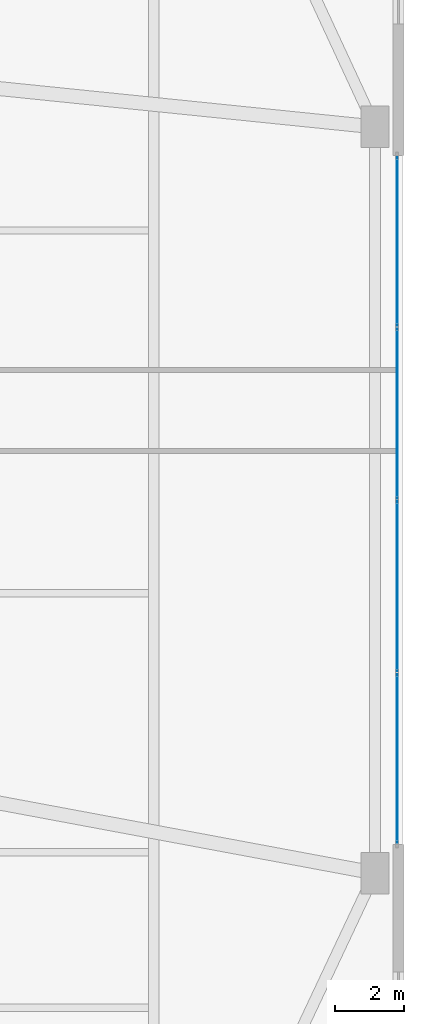
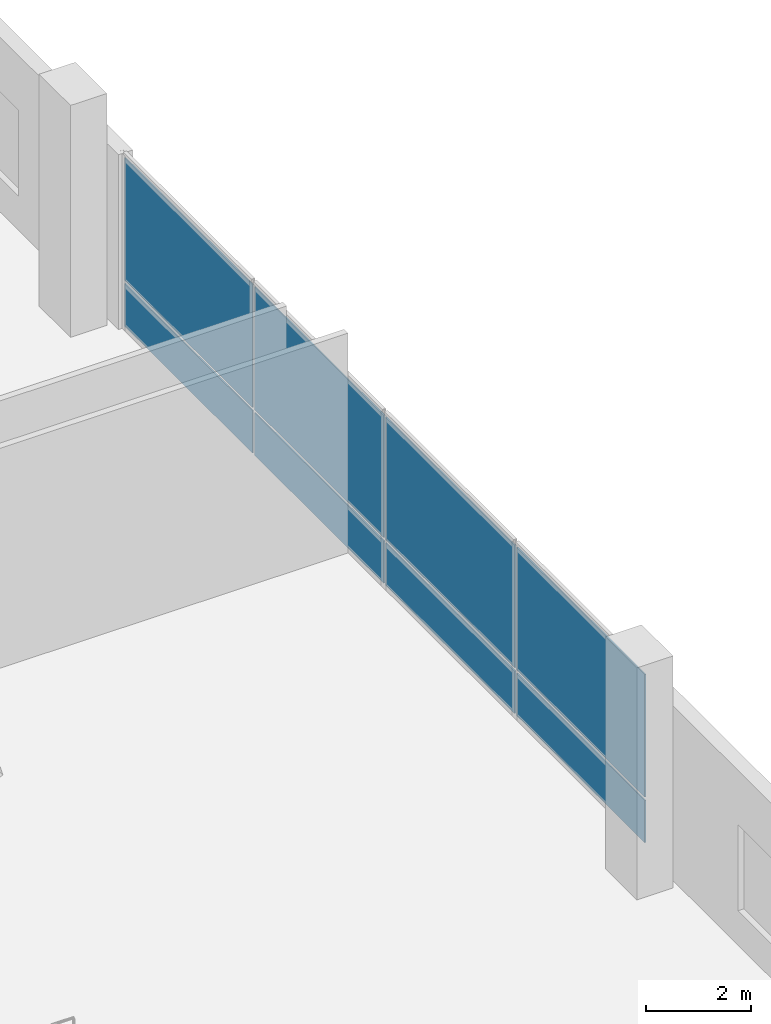
# One storey, part 28 of 40: 8 plates, 1 element without a shape of its own.
"""IFC4 building model written with IfcOpenShell, lengths in metres."""

import ifcopenshell
import ifcopenshell.guid

model = None  # the IFC model being written
_history = None  # IfcOwnerHistory: only IFC2X3 demands one
_inside = {}  # id of a spatial element -> (the spatial element, [elements in it])
_under = {}  # id of a project, library or spatial element -> (it, [spatial elements below it])
_declared = {}  # id of a project -> (the project, [libraries it declares])
_typed = {}  # id of a type object -> (the type object, [elements of that type])
_made_of = {}  # id of a material, layer set ... -> (it, [elements and type objects made of it])


def new_model(schema):
    """Start an empty IFC model of exactly this schema.

    Asked for "IFC4X3", IfcOpenShell would pick the latest addendum, in which some entities
    have other attributes; the version numbers below select the first issue.
    IFC2X3 requires an IfcOwnerHistory on every rooted entity: one is made here for all.
    """
    global model, _history
    if schema == "IFC4X3":
        model = ifcopenshell.file(schema_version=(4, 3, 0, 0))
    else:
        model = ifcopenshell.file(schema=schema)
    _inside.clear()
    _under.clear()
    _declared.clear()
    _typed.clear()
    _made_of.clear()
    _history = None
    if model.schema == "IFC2X3":
        org = make("IfcOrganization", Name="unknown")
        user = make(
            "IfcPersonAndOrganization",
            ThePerson=make("IfcPerson", FamilyName="unknown"),
            TheOrganization=org,
        )
        app = make(
            "IfcApplication",
            ApplicationDeveloper=org,
            Version="unknown",
            ApplicationFullName="unknown",
            ApplicationIdentifier="unknown",
        )
        _history = make(
            "IfcOwnerHistory",
            OwningUser=user,
            OwningApplication=app,
            ChangeAction="ADDED",
            CreationDate=0,
        )
    return model


def make(cls, **values):
    """One entity of the class cls with the attributes given. An attribute that is None is left unset."""
    return model.create_entity(
        cls, **{name: value for name, value in values.items() if value is not None}
    )


def rooted(cls, **values):
    """An entity with a GlobalId (a new one), such as an element, a storey or a relation."""
    return make(cls, GlobalId=ifcopenshell.guid.new(), OwnerHistory=_history, **values)


def si_unit(unit_type, name, prefix=None):
    """IfcSIUnit, for example si_unit("LENGTHUNIT", "METRE", prefix="MILLI")."""
    return make("IfcSIUnit", UnitType=unit_type, Prefix=prefix, Name=name)


def assignment(units):
    """IfcUnitAssignment: the units of a project."""
    return None if units is None else make("IfcUnitAssignment", Units=units)


def point(xyz):
    """IfcCartesianPoint."""
    return None if xyz is None else make("IfcCartesianPoint", Coordinates=xyz)


def direction(xyz):
    """IfcDirection."""
    return None if xyz is None else make("IfcDirection", DirectionRatios=xyz)


def frame(location, z_axis=None, x_axis=None):
    """IfcAxis2Placement3D, a coordinate frame: its origin and axes. An axis left out is left unset."""
    return make(
        "IfcAxis2Placement3D",
        Location=point(location),
        Axis=direction(z_axis),
        RefDirection=direction(x_axis),
    )


def frame_2d(location, x_axis=None):
    """IfcAxis2Placement2D, a coordinate frame in the plane: its origin and x axis."""
    return make(
        "IfcAxis2Placement2D", Location=point(location), RefDirection=direction(x_axis)
    )


def origin():
    """The frame at (0, 0, 0) with its axes left unset."""
    return frame((0.0, 0.0, 0.0))


def origin_2d():
    """The frame at (0, 0) in the plane with its x axis left unset."""
    return frame_2d((0.0, 0.0))


def place(relative_to, where):
    """IfcLocalPlacement: puts the frame where relative to a parent placement (None: the world)."""
    return make(
        "IfcLocalPlacement", PlacementRelTo=relative_to, RelativePlacement=where
    )


def context(
    kind, dimensions, precision=None, world=None, true_north=None, identifier=None
):
    """IfcGeometricRepresentationContext, for example the 3D "Model" context."""
    return make(
        "IfcGeometricRepresentationContext",
        ContextIdentifier=identifier,
        ContextType=kind,
        CoordinateSpaceDimension=dimensions,
        Precision=precision,
        WorldCoordinateSystem=world,
        TrueNorth=true_north,
    )


def subcontext(parent, identifier, kind, view, scale=None):
    """IfcGeometricRepresentationSubContext, for example "Body" below "Model"."""
    return make(
        "IfcGeometricRepresentationSubContext",
        ContextIdentifier=identifier,
        ContextType=kind,
        ParentContext=parent,
        TargetScale=scale,
        TargetView=view,
    )


def project(units=None, contexts=None):
    """IfcProject with its units and contexts."""
    return rooted(
        "IfcProject",
        Name="project",
        RepresentationContexts=contexts,
        UnitsInContext=assignment(units),
    )


def spatial(cls, under=None, at=None, **own):
    """A site, building, storey or space (cls), placed at a placement, below another one or the project."""
    s = rooted(cls, ObjectPlacement=at, **own)
    if under is not None:
        _under.setdefault(under.id(), (under, []))[1].append(s)
    return s


def profile(cls, at=None, kind="AREA", **sizes):
    """A parametric profile (cls). Its sizes go by their IFC names, for example OverallWidth=200.0."""
    return make(cls, ProfileType=kind, Position=at, **sizes)


def rectangle(**sizes):
    """IfcRectangleProfileDef."""
    return profile("IfcRectangleProfileDef", **sizes)


def extrude(swept, where, along, depth):
    """IfcExtrudedAreaSolid: the profile swept, set in the frame where, extruded along a direction by depth."""
    return make(
        "IfcExtrudedAreaSolid",
        SweptArea=swept,
        Position=where,
        ExtrudedDirection=direction(along),
        Depth=depth,
    )


def shape(context_of_items, identifier, shape_type, items):
    """IfcShapeRepresentation: the items that make up one representation, for example the "Body"."""
    return make(
        "IfcShapeRepresentation",
        ContextOfItems=context_of_items,
        RepresentationIdentifier=identifier,
        RepresentationType=shape_type,
        Items=items,
    )


def source(mapping_origin, context_of_items, identifier, shape_type, items):
    """IfcRepresentationMap: a shape defined once, which mapped items show again and again."""
    return make(
        "IfcRepresentationMap",
        MappingOrigin=mapping_origin,
        MappedRepresentation=shape(context_of_items, identifier, shape_type, items),
    )


def transform(
    local_origin,
    x_axis=None,
    y_axis=None,
    z_axis=None,
    scale=None,
    scale2=None,
    scale3=None,
    uniform=True,
):
    """IfcCartesianTransformationOperator3D, or its non-uniform kind. x_axis, y_axis, z_axis: its Axis1, 2, 3."""
    if uniform:
        return make(
            "IfcCartesianTransformationOperator3D",
            Axis1=direction(x_axis),
            Axis2=direction(y_axis),
            LocalOrigin=point(local_origin),
            Scale=scale,
            Axis3=direction(z_axis),
        )
    return make(
        "IfcCartesianTransformationOperator3DnonUniform",
        Axis1=direction(x_axis),
        Axis2=direction(y_axis),
        LocalOrigin=point(local_origin),
        Scale=scale,
        Axis3=direction(z_axis),
        Scale2=scale2,
        Scale3=scale3,
    )


def mapped(mapping_source, mapping_target):
    """IfcMappedItem: shows the shape of a source again, moved by a transform."""
    return make(
        "IfcMappedItem", MappingSource=mapping_source, MappingTarget=mapping_target
    )


def material(Name=None, Category=None):
    """IfcMaterial."""
    return make("IfcMaterial", Name=Name, Category=Category)


def layer(
    of_material, thickness, ventilated=None, Name=None, Category=None, Priority=None
):
    """IfcMaterialLayer: one layer of a wall or slab, of a material (None: an air gap)."""
    return make(
        "IfcMaterialLayer",
        Material=of_material,
        LayerThickness=thickness,
        IsVentilated=ventilated,
        Name=Name,
        Category=Category,
        Priority=Priority,
    )


def layer_set(layers, Name=None):
    """IfcMaterialLayerSet."""
    return make("IfcMaterialLayerSet", MaterialLayers=layers, LayerSetName=Name)


def made_of(thing, what):
    """Note that an element or type object is made of a material, layer set ...; save() writes the relation."""
    if what is not None:
        _made_of.setdefault(what.id(), (what, []))[1].append(thing)
    return thing


def type_object(cls, material=None, **own):
    """A type object (cls), such as IfcWallType, which elements share."""
    return made_of(rooted(cls, **own), material)


def element(
    cls,
    number,
    at=None,
    inside=None,
    cuts=None,
    type_object=None,
    material=None,
    context=None,
    identifier="Body",
    shape_type=None,
    held_by="IfcProductDefinitionShape",
    body=None,
    shapes=None,
    **own,
):
    """One element of the class cls, such as IfcWall. Its Tag is "e" and its number.

    at: its placement. inside: the storey or other place that contains it. cuts: it is an
    opening in that element (IfcRelVoidsElement). A single representation is given by context,
    identifier, shape_type and body (its items); several are given by shapes. held_by: the class
    of the entity that holds the representations. save() writes the other relations.
    """
    e = rooted(cls, Tag="e%d" % number, ObjectPlacement=at, **own)
    if body is not None:
        shapes = [shape(context, identifier, shape_type, body)]
    if shapes is not None:
        e.Representation = make(held_by, Representations=shapes)
    if inside is not None:
        _inside.setdefault(inside.id(), (inside, []))[1].append(e)
    if cuts is not None:
        rooted(
            "IfcRelVoidsElement", RelatingBuildingElement=cuts, RelatedOpeningElement=e
        )
    if type_object is not None:
        _typed.setdefault(type_object.id(), (type_object, []))[1].append(e)
    return made_of(e, material)


def aggregate(whole, parts):
    """IfcRelAggregates: a whole, such as a stair, and the parts it consists of."""
    return rooted("IfcRelAggregates", RelatingObject=whole, RelatedObjects=parts)


def save(model, path):
    """Write the relations noted so far, then the file.

    IfcRelAggregates (storeys below a building ...), IfcRelContainedInSpatialStructure (elements
    in a storey), IfcRelDefinesByType, IfcRelAssociatesMaterial and IfcRelDeclares: one each for
    every whole, place, type object, material and project.
    """
    for whole, parts in _under.values():
        aggregate(whole, parts)
    for where, things in _inside.values():
        rooted(
            "IfcRelContainedInSpatialStructure",
            RelatedElements=things,
            RelatingStructure=where,
        )
    for kind, things in _typed.values():
        rooted("IfcRelDefinesByType", RelatedObjects=things, RelatingType=kind)
    for what, things in _made_of.values():
        rooted("IfcRelAssociatesMaterial", RelatedObjects=things, RelatingMaterial=what)
    for by, libraries in _declared.values():
        rooted("IfcRelDeclares", RelatingContext=by, RelatedDefinitions=libraries)
    model.write(path)


model = new_model("IFC4")

# Units and contexts
model_context = context("Model", 3, precision=1e-05, world=origin(), true_north=direction((0.0, 1.0)))
body_context = subcontext(model_context, "Body", "Model", "MODEL_VIEW")
ifc_project = project(units=[si_unit("LENGTHUNIT", "METRE"), si_unit("AREAUNIT", "SQUARE_METRE"), si_unit("VOLUMEUNIT", "CUBIC_METRE"), si_unit("PLANEANGLEUNIT", "RADIAN"), si_unit("MASSUNIT", "GRAM", prefix="KILO")], contexts=[model_context])

# Site, building, storey
site_placement = place(None, origin())
site = spatial("IfcSite", under=ifc_project, at=site_placement, CompositionType="ELEMENT")
building_placement = place(site_placement, origin())
building = spatial("IfcBuilding", under=site, at=building_placement, Name="Varnelok Gate Tower", CompositionType="ELEMENT")
storey_placement = place(building_placement, frame((0.0, 0.0, 5.39990234375)))
storey = spatial("IfcBuildingStorey", under=building, at=storey_placement, Name="L01", CompositionType="ELEMENT", Elevation=5.39990234375)

# Curtain wall, plates
ifc_material_1 = material(Name="Anodized Aluminum Alloy 6063-T6", Category="aluminium")
ifc_layer_1 = layer(ifc_material_1, 0.179931640625)
ifc_layer_set_1 = layer_set([ifc_layer_1], Name="Anodized Aluminum Alloy 6063-T6")
curtain_wall_type = type_object("IfcCurtainWallType", Name="CW1-ARCH-PORTAL", PredefinedType="USERDEFINED", material=ifc_layer_set_1)
curtain_wall_placement = place(storey_placement, origin())
curtain_wall = element("IfcCurtainWall", 1, at=curtain_wall_placement, inside=storey, type_object=curtain_wall_type, Name="L01 Podium Portal Curtain Wall E", ObjectType="UNITISED CURTAIN WALL", PredefinedType="USERDEFINED")
ifc_material_2 = material(Name="Low-E Laminated Double Glazing IGU", Category="glass")
ifc_layer_2 = layer(ifc_material_2, 0.028076171875)
ifc_layer_set_2 = layer_set([ifc_layer_2], Name="Low-E Laminated Double Glazing IGU")
plate_type = type_object("IfcPlateType", Name="CW-PNL-IGU28", PredefinedType="CURTAIN_PANEL", material=ifc_layer_set_2)
shared_shape_1 = source(origin(), body_context, "Body", "SweptSolid", [
    extrude(rectangle(XDim=4.887451171875, YDim=0.028076171875, at=origin_2d()), origin(), (0.0, 0.0, 1.0), 0.987548828125),
])
plate_1_placement = place(storey_placement, frame((78.239990234375, 32.68115234375, 0.0751953125), z_axis=(0.0, 0.0, 1.0), x_axis=(0.0, -1.0, 0.0)))
plate_1 = element("IfcPlate", 2, at=plate_1_placement, type_object=plate_type, Name="CW1 panel 1.1", PredefinedType="CURTAIN_PANEL", context=body_context, shape_type="MappedRepresentation", body=[
    mapped(shared_shape_1, transform((0.0, 0.0, 0.0), scale=1.0)),
])
plate_2_placement = place(storey_placement, frame((78.239990234375, 17.71875, 0.0751953125), z_axis=(0.0, 0.0, 1.0), x_axis=(0.0, -1.0, 0.0)))
plate_2 = element("IfcPlate", 3, at=plate_2_placement, type_object=plate_type, Name="CW1 panel 4.1", PredefinedType="CURTAIN_PANEL", context=body_context, shape_type="MappedRepresentation", body=[
    mapped(shared_shape_1, transform((0.0, 0.0, 0.0), scale=1.0)),
])
shared_shape_2 = source(origin(), body_context, "Body", "SweptSolid", [
    extrude(rectangle(XDim=4.887451171875, YDim=0.028076171875, at=origin_2d()), origin(), (0.0, 0.0, 1.0), 2.857421875),
])
plate_3_placement = place(storey_placement, frame((78.239990234375, 32.68115234375, 1.1376953125), z_axis=(0.0, 0.0, 1.0), x_axis=(0.0, -1.0, 0.0)))
plate_3 = element("IfcPlate", 4, at=plate_3_placement, type_object=plate_type, Name="CW1 panel 1.2", PredefinedType="CURTAIN_PANEL", context=body_context, shape_type="MappedRepresentation", body=[
    mapped(shared_shape_2, transform((0.0, 0.0, 0.0), scale=1.0)),
])
plate_4_placement = place(storey_placement, frame((78.239990234375, 17.71875, 1.1376953125), z_axis=(0.0, 0.0, 1.0), x_axis=(0.0, -1.0, 0.0)))
plate_4 = element("IfcPlate", 5, at=plate_4_placement, type_object=plate_type, Name="CW1 panel 4.2", PredefinedType="CURTAIN_PANEL", context=body_context, shape_type="MappedRepresentation", body=[
    mapped(shared_shape_2, transform((0.0, 0.0, 0.0), scale=1.0)),
])
shared_shape_3 = source(origin(), body_context, "Body", "SweptSolid", [
    extrude(rectangle(XDim=4.925048828125, YDim=0.028076171875, at=origin_2d()), origin(), (0.0, 0.0, 1.0), 0.987548828125),
])
plate_5_placement = place(storey_placement, frame((78.239990234375, 27.699951171875, 0.0751953125), z_axis=(0.0, 0.0, 1.0), x_axis=(0.0, -1.0, 0.0)))
plate_5 = element("IfcPlate", 6, at=plate_5_placement, type_object=plate_type, Name="CW1 panel 2.1", PredefinedType="CURTAIN_PANEL", context=body_context, shape_type="MappedRepresentation", body=[
    mapped(shared_shape_3, transform((0.0, 0.0, 0.0), scale=1.0)),
])
plate_6_placement = place(storey_placement, frame((78.239990234375, 22.699951171875, 0.0751953125), z_axis=(0.0, 0.0, 1.0), x_axis=(0.0, -1.0, 0.0)))
plate_6 = element("IfcPlate", 7, at=plate_6_placement, type_object=plate_type, Name="CW1 panel 3.1", PredefinedType="CURTAIN_PANEL", context=body_context, shape_type="MappedRepresentation", body=[
    mapped(shared_shape_3, transform((0.0, 0.0, 0.0), scale=1.0)),
])
shared_shape_4 = source(origin(), body_context, "Body", "SweptSolid", [
    extrude(rectangle(XDim=4.925048828125, YDim=0.028076171875, at=origin_2d()), origin(), (0.0, 0.0, 1.0), 2.857421875),
])
plate_7_placement = place(storey_placement, frame((78.239990234375, 27.699951171875, 1.1376953125), z_axis=(0.0, 0.0, 1.0), x_axis=(0.0, -1.0, 0.0)))
plate_7 = element("IfcPlate", 8, at=plate_7_placement, type_object=plate_type, Name="CW1 panel 2.2", PredefinedType="CURTAIN_PANEL", context=body_context, shape_type="MappedRepresentation", body=[
    mapped(shared_shape_4, transform((0.0, 0.0, 0.0), scale=1.0)),
])
plate_8_placement = place(storey_placement, frame((78.239990234375, 22.699951171875, 1.1376953125), z_axis=(0.0, 0.0, 1.0), x_axis=(0.0, -1.0, 0.0)))
plate_8 = element("IfcPlate", 9, at=plate_8_placement, type_object=plate_type, Name="CW1 panel 3.2", PredefinedType="CURTAIN_PANEL", context=body_context, shape_type="MappedRepresentation", body=[
    mapped(shared_shape_4, transform((0.0, 0.0, 0.0), scale=1.0)),
])
aggregate(curtain_wall, [plate_1, plate_3, plate_5, plate_7, plate_6, plate_8, plate_2, plate_4])

save(model, "model.ifc")
